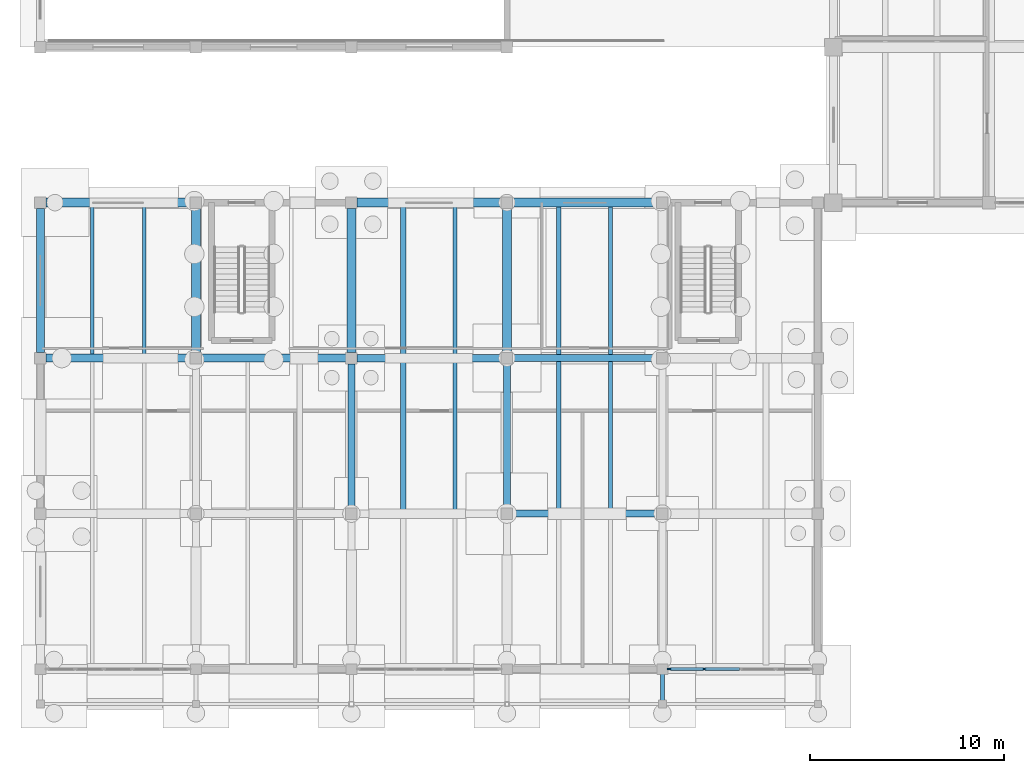
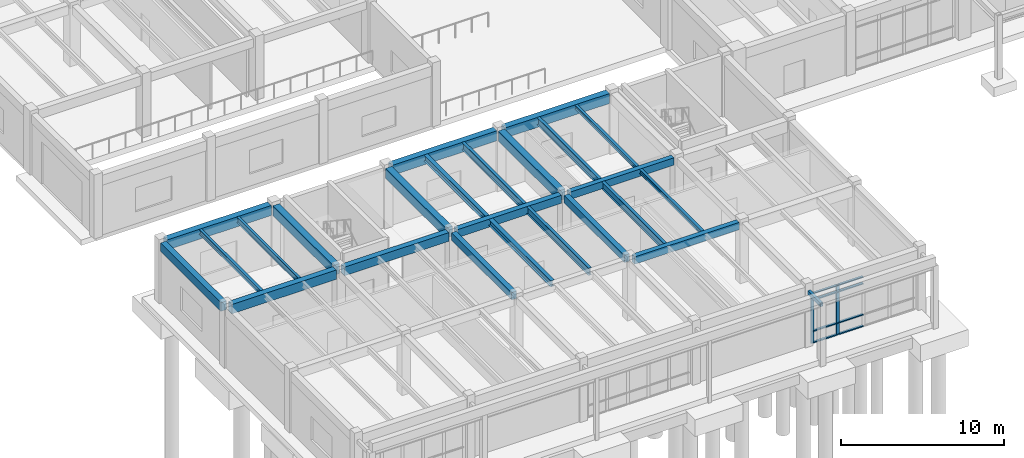
# One storey, part 15 of 64: 25 beams, 10 members, 1 element without a shape of its own.
"""IFC4 building model written with IfcOpenShell, lengths in metres."""

import ifcopenshell
import ifcopenshell.guid

model = None  # the IFC model being written
_history = None  # IfcOwnerHistory: only IFC2X3 demands one
_inside = {}  # id of a spatial element -> (the spatial element, [elements in it])
_under = {}  # id of a project, library or spatial element -> (it, [spatial elements below it])
_declared = {}  # id of a project -> (the project, [libraries it declares])
_typed = {}  # id of a type object -> (the type object, [elements of that type])
_made_of = {}  # id of a material, layer set ... -> (it, [elements and type objects made of it])


def new_model(schema):
    """Start an empty IFC model of exactly this schema.

    Asked for "IFC4X3", IfcOpenShell would pick the latest addendum, in which some entities
    have other attributes; the version numbers below select the first issue.
    IFC2X3 requires an IfcOwnerHistory on every rooted entity: one is made here for all.
    """
    global model, _history
    if schema == "IFC4X3":
        model = ifcopenshell.file(schema_version=(4, 3, 0, 0))
    else:
        model = ifcopenshell.file(schema=schema)
    _inside.clear()
    _under.clear()
    _declared.clear()
    _typed.clear()
    _made_of.clear()
    _history = None
    if model.schema == "IFC2X3":
        org = make("IfcOrganization", Name="unknown")
        user = make(
            "IfcPersonAndOrganization",
            ThePerson=make("IfcPerson", FamilyName="unknown"),
            TheOrganization=org,
        )
        app = make(
            "IfcApplication",
            ApplicationDeveloper=org,
            Version="unknown",
            ApplicationFullName="unknown",
            ApplicationIdentifier="unknown",
        )
        _history = make(
            "IfcOwnerHistory",
            OwningUser=user,
            OwningApplication=app,
            ChangeAction="ADDED",
            CreationDate=0,
        )
    return model


def make(cls, **values):
    """One entity of the class cls with the attributes given. An attribute that is None is left unset."""
    return model.create_entity(
        cls, **{name: value for name, value in values.items() if value is not None}
    )


def rooted(cls, **values):
    """An entity with a GlobalId (a new one), such as an element, a storey or a relation."""
    return make(cls, GlobalId=ifcopenshell.guid.new(), OwnerHistory=_history, **values)


def si_unit(unit_type, name, prefix=None):
    """IfcSIUnit, for example si_unit("LENGTHUNIT", "METRE", prefix="MILLI")."""
    return make("IfcSIUnit", UnitType=unit_type, Prefix=prefix, Name=name)


def assignment(units):
    """IfcUnitAssignment: the units of a project."""
    return None if units is None else make("IfcUnitAssignment", Units=units)


def point(xyz):
    """IfcCartesianPoint."""
    return None if xyz is None else make("IfcCartesianPoint", Coordinates=xyz)


def direction(xyz):
    """IfcDirection."""
    return None if xyz is None else make("IfcDirection", DirectionRatios=xyz)


def frame(location, z_axis=None, x_axis=None):
    """IfcAxis2Placement3D, a coordinate frame: its origin and axes. An axis left out is left unset."""
    return make(
        "IfcAxis2Placement3D",
        Location=point(location),
        Axis=direction(z_axis),
        RefDirection=direction(x_axis),
    )


def frame_2d(location, x_axis=None):
    """IfcAxis2Placement2D, a coordinate frame in the plane: its origin and x axis."""
    return make(
        "IfcAxis2Placement2D", Location=point(location), RefDirection=direction(x_axis)
    )


def origin():
    """The frame at (0, 0, 0) with its axes left unset."""
    return frame((0.0, 0.0, 0.0))


def origin_2d():
    """The frame at (0, 0) in the plane with its x axis left unset."""
    return frame_2d((0.0, 0.0))


def place(relative_to, where):
    """IfcLocalPlacement: puts the frame where relative to a parent placement (None: the world)."""
    return make(
        "IfcLocalPlacement", PlacementRelTo=relative_to, RelativePlacement=where
    )


def context(
    kind, dimensions, precision=None, world=None, true_north=None, identifier=None
):
    """IfcGeometricRepresentationContext, for example the 3D "Model" context."""
    return make(
        "IfcGeometricRepresentationContext",
        ContextIdentifier=identifier,
        ContextType=kind,
        CoordinateSpaceDimension=dimensions,
        Precision=precision,
        WorldCoordinateSystem=world,
        TrueNorth=true_north,
    )


def subcontext(parent, identifier, kind, view, scale=None):
    """IfcGeometricRepresentationSubContext, for example "Body" below "Model"."""
    return make(
        "IfcGeometricRepresentationSubContext",
        ContextIdentifier=identifier,
        ContextType=kind,
        ParentContext=parent,
        TargetScale=scale,
        TargetView=view,
    )


def project(units=None, contexts=None):
    """IfcProject with its units and contexts."""
    return rooted(
        "IfcProject",
        Name="project",
        RepresentationContexts=contexts,
        UnitsInContext=assignment(units),
    )


def spatial(cls, under=None, at=None, **own):
    """A site, building, storey or space (cls), placed at a placement, below another one or the project."""
    s = rooted(cls, ObjectPlacement=at, **own)
    if under is not None:
        _under.setdefault(under.id(), (under, []))[1].append(s)
    return s


def profile(cls, at=None, kind="AREA", **sizes):
    """A parametric profile (cls). Its sizes go by their IFC names, for example OverallWidth=200.0."""
    return make(cls, ProfileType=kind, Position=at, **sizes)


def rectangle(**sizes):
    """IfcRectangleProfileDef."""
    return profile("IfcRectangleProfileDef", **sizes)


def hollow_rectangle(**sizes):
    """IfcRectangleHollowProfileDef."""
    return profile("IfcRectangleHollowProfileDef", **sizes)


def i_section(**sizes):
    """IfcIShapeProfileDef."""
    return profile("IfcIShapeProfileDef", **sizes)


def extrude(swept, where, along, depth):
    """IfcExtrudedAreaSolid: the profile swept, set in the frame where, extruded along a direction by depth."""
    return make(
        "IfcExtrudedAreaSolid",
        SweptArea=swept,
        Position=where,
        ExtrudedDirection=direction(along),
        Depth=depth,
    )


def shape(context_of_items, identifier, shape_type, items):
    """IfcShapeRepresentation: the items that make up one representation, for example the "Body"."""
    return make(
        "IfcShapeRepresentation",
        ContextOfItems=context_of_items,
        RepresentationIdentifier=identifier,
        RepresentationType=shape_type,
        Items=items,
    )


def material(Name=None, Category=None):
    """IfcMaterial."""
    return make("IfcMaterial", Name=Name, Category=Category)


def material_profile(
    of_material, cross_section, Name=None, Category=None, Priority=None
):
    """IfcMaterialProfile: a cross section and its material."""
    return make(
        "IfcMaterialProfile",
        Name=Name,
        Material=of_material,
        Profile=cross_section,
        Priority=Priority,
        Category=Category,
    )


def profile_set(profiles, Name=None, composite=None):
    """IfcMaterialProfileSet."""
    return make(
        "IfcMaterialProfileSet",
        Name=Name,
        MaterialProfiles=profiles,
        CompositeProfile=composite,
    )


def made_of(thing, what):
    """Note that an element or type object is made of a material, layer set ...; save() writes the relation."""
    if what is not None:
        _made_of.setdefault(what.id(), (what, []))[1].append(thing)
    return thing


def type_object(cls, material=None, **own):
    """A type object (cls), such as IfcWallType, which elements share."""
    return made_of(rooted(cls, **own), material)


def element(
    cls,
    number,
    at=None,
    inside=None,
    cuts=None,
    type_object=None,
    material=None,
    context=None,
    identifier="Body",
    shape_type=None,
    held_by="IfcProductDefinitionShape",
    body=None,
    shapes=None,
    **own,
):
    """One element of the class cls, such as IfcWall. Its Tag is "e" and its number.

    at: its placement. inside: the storey or other place that contains it. cuts: it is an
    opening in that element (IfcRelVoidsElement). A single representation is given by context,
    identifier, shape_type and body (its items); several are given by shapes. held_by: the class
    of the entity that holds the representations. save() writes the other relations.
    """
    e = rooted(cls, Tag="e%d" % number, ObjectPlacement=at, **own)
    if body is not None:
        shapes = [shape(context, identifier, shape_type, body)]
    if shapes is not None:
        e.Representation = make(held_by, Representations=shapes)
    if inside is not None:
        _inside.setdefault(inside.id(), (inside, []))[1].append(e)
    if cuts is not None:
        rooted(
            "IfcRelVoidsElement", RelatingBuildingElement=cuts, RelatedOpeningElement=e
        )
    if type_object is not None:
        _typed.setdefault(type_object.id(), (type_object, []))[1].append(e)
    return made_of(e, material)


def aggregate(whole, parts):
    """IfcRelAggregates: a whole, such as a stair, and the parts it consists of."""
    return rooted("IfcRelAggregates", RelatingObject=whole, RelatedObjects=parts)


def save(model, path):
    """Write the relations noted so far, then the file.

    IfcRelAggregates (storeys below a building ...), IfcRelContainedInSpatialStructure (elements
    in a storey), IfcRelDefinesByType, IfcRelAssociatesMaterial and IfcRelDeclares: one each for
    every whole, place, type object, material and project.
    """
    for whole, parts in _under.values():
        aggregate(whole, parts)
    for where, things in _inside.values():
        rooted(
            "IfcRelContainedInSpatialStructure",
            RelatedElements=things,
            RelatingStructure=where,
        )
    for kind, things in _typed.values():
        rooted("IfcRelDefinesByType", RelatedObjects=things, RelatingType=kind)
    for what, things in _made_of.values():
        rooted("IfcRelAssociatesMaterial", RelatedObjects=things, RelatingMaterial=what)
    for by, libraries in _declared.values():
        rooted("IfcRelDeclares", RelatingContext=by, RelatedDefinitions=libraries)
    model.write(path)


model = new_model("IFC4")

# Units and contexts
model_context = context("Model", 3, precision=1e-05, world=origin(), true_north=direction((0.0, 1.0)))
body_context = subcontext(model_context, "Body", "Model", "MODEL_VIEW")
ifc_project = project(units=[si_unit("LENGTHUNIT", "METRE"), si_unit("AREAUNIT", "SQUARE_METRE"), si_unit("VOLUMEUNIT", "CUBIC_METRE"), si_unit("PLANEANGLEUNIT", "RADIAN"), si_unit("MASSUNIT", "GRAM", prefix="KILO")], contexts=[model_context])

# Site, building, storey
site_placement = place(None, origin())
site = spatial("IfcSite", under=ifc_project, at=site_placement, CompositionType="ELEMENT")
building_placement = place(site_placement, origin())
building = spatial("IfcBuilding", under=site, at=building_placement, Name="Tlaxcora Railside Police Headquarters", CompositionType="ELEMENT")
storey_placement = place(building_placement, origin())
storey = spatial("IfcBuildingStorey", under=building, at=storey_placement, Name="L00", CompositionType="ELEMENT", Elevation=0.0)

# Curtain wall, members
ifc_material_1 = material(Name="Thermally broken low-E insulated glazing", Category="glass")
curtain_wall_type = type_object("IfcCurtainWallType", Name="Unitised Curtain Wall Assembly CW-83", PredefinedType="NOTDEFINED", material=ifc_material_1)
curtain_wall_placement = place(storey_placement, origin())
curtain_wall = element("IfcCurtainWall", 1, at=curtain_wall_placement, inside=storey, type_object=curtain_wall_type, Name="V4 L00 curtain wall 23", PredefinedType="NOTDEFINED")
ifc_material_2 = material(Name="Anodised aluminium framing", Category="aluminium")
ifc_material_profile_1 = material_profile(ifc_material_2, rectangle(XDim=0.080078125, YDim=0.2099609375, at=origin_2d()), Name="AL80X210")
ifc_profile_set_1 = profile_set([ifc_material_profile_1], Name="Anodised aluminium framing")
member_type_1 = type_object("IfcMemberType", Name="Curtain Wall Mullion CW-76", PredefinedType="MULLION", material=ifc_profile_set_1)
member_1_placement = place(storey_placement, frame((37.56494140625, 12.0, 0.0), z_axis=(0.0, 0.0, 1.0), x_axis=(0.0, 1.0, 0.0)))
member_1 = element("IfcMember", 2, at=member_1_placement, type_object=member_type_1, Name="CW mullion 1", PredefinedType="MULLION", context=body_context, shape_type="SweptSolid", body=[
    extrude(rectangle(XDim=0.080078125, YDim=0.2099609375, at=origin_2d()), origin(), (0.0, 0.0, 1.0), 3.760009765625),
])
member_2_placement = place(storey_placement, frame((39.362548828125, 12.0, 0.0), z_axis=(0.0, 0.0, 1.0), x_axis=(0.0, 1.0, 0.0)))
member_2 = element("IfcMember", 3, at=member_2_placement, type_object=member_type_1, Name="CW mullion 2", PredefinedType="MULLION", context=body_context, shape_type="SweptSolid", body=[
    extrude(rectangle(XDim=0.080078125, YDim=0.2099609375, at=origin_2d()), origin(), (0.0, 0.0, 1.0), 3.760009765625),
])
ifc_material_profile_2 = material_profile(ifc_material_2, rectangle(XDim=0.159912109375, YDim=0.080078125, at=origin_2d()), Name="AL80X160")
ifc_profile_set_2 = profile_set([ifc_material_profile_2], Name="Anodised aluminium framing")
member_type_2 = type_object("IfcMemberType", Name="Curtain Wall Transom CW-82", PredefinedType="USERDEFINED", material=ifc_profile_set_2)
member_3_placement = place(storey_placement, frame((37.60498046875, 12.0, 0.0400390625), z_axis=(1.0, 0.0, 0.0), x_axis=(0.0, 1.0, 0.0)))
member_3 = element("IfcMember", 4, at=member_3_placement, type_object=member_type_2, Name="CW transom 1.1", ObjectType="TRANSOM", PredefinedType="USERDEFINED", context=body_context, shape_type="SweptSolid", body=[
    extrude(rectangle(XDim=0.159912109375, YDim=0.080078125, at=origin_2d()), origin(), (0.0, 0.0, 1.0), 1.717529296875),
])
member_4_placement = place(storey_placement, frame((37.60498046875, 12.0, 0.89990234375), z_axis=(1.0, 0.0, 0.0), x_axis=(0.0, 1.0, 0.0)))
member_4 = element("IfcMember", 5, at=member_4_placement, type_object=member_type_2, Name="CW transom 1.2", ObjectType="TRANSOM", PredefinedType="USERDEFINED", context=body_context, shape_type="SweptSolid", body=[
    extrude(rectangle(XDim=0.159912109375, YDim=0.080078125, at=origin_2d()), origin(), (0.0, 0.0, 1.0), 1.717529296875),
])
member_5_placement = place(storey_placement, frame((37.60498046875, 12.0, 3.22998046875), z_axis=(1.0, 0.0, 0.0), x_axis=(0.0, 1.0, 0.0)))
member_5 = element("IfcMember", 6, at=member_5_placement, type_object=member_type_2, Name="CW transom 1.3", ObjectType="TRANSOM", PredefinedType="USERDEFINED", context=body_context, shape_type="SweptSolid", body=[
    extrude(rectangle(XDim=0.159912109375, YDim=0.080078125, at=origin_2d()), origin(), (0.0, 0.0, 1.0), 1.717529296875),
])
member_6_placement = place(storey_placement, frame((37.60498046875, 12.0, 3.719970703125), z_axis=(1.0, 0.0, 0.0), x_axis=(0.0, 1.0, 0.0)))
member_6 = element("IfcMember", 7, at=member_6_placement, type_object=member_type_2, Name="CW transom 1.4", ObjectType="TRANSOM", PredefinedType="USERDEFINED", context=body_context, shape_type="SweptSolid", body=[
    extrude(rectangle(XDim=0.159912109375, YDim=0.080078125, at=origin_2d()), origin(), (0.0, 0.0, 1.0), 1.717529296875),
])
member_7_placement = place(storey_placement, frame((39.402587890625, 12.0, 0.0400390625), z_axis=(1.0, 0.0, 0.0), x_axis=(0.0, 1.0, 0.0)))
member_7 = element("IfcMember", 8, at=member_7_placement, type_object=member_type_2, Name="CW transom 2.1", ObjectType="TRANSOM", PredefinedType="USERDEFINED", context=body_context, shape_type="SweptSolid", body=[
    extrude(rectangle(XDim=0.159912109375, YDim=0.080078125, at=origin_2d()), origin(), (0.0, 0.0, 1.0), 1.75732421875),
])
member_8_placement = place(storey_placement, frame((39.402587890625, 12.0, 0.89990234375), z_axis=(1.0, 0.0, 0.0), x_axis=(0.0, 1.0, 0.0)))
member_8 = element("IfcMember", 9, at=member_8_placement, type_object=member_type_2, Name="CW transom 2.2", ObjectType="TRANSOM", PredefinedType="USERDEFINED", context=body_context, shape_type="SweptSolid", body=[
    extrude(rectangle(XDim=0.159912109375, YDim=0.080078125, at=origin_2d()), origin(), (0.0, 0.0, 1.0), 1.75732421875),
])
member_9_placement = place(storey_placement, frame((39.402587890625, 12.0, 3.22998046875), z_axis=(1.0, 0.0, 0.0), x_axis=(0.0, 1.0, 0.0)))
member_9 = element("IfcMember", 10, at=member_9_placement, type_object=member_type_2, Name="CW transom 2.3", ObjectType="TRANSOM", PredefinedType="USERDEFINED", context=body_context, shape_type="SweptSolid", body=[
    extrude(rectangle(XDim=0.159912109375, YDim=0.080078125, at=origin_2d()), origin(), (0.0, 0.0, 1.0), 1.75732421875),
])
member_10_placement = place(storey_placement, frame((39.402587890625, 12.0, 3.719970703125), z_axis=(1.0, 0.0, 0.0), x_axis=(0.0, 1.0, 0.0)))
member_10 = element("IfcMember", 11, at=member_10_placement, type_object=member_type_2, Name="CW transom 2.4", ObjectType="TRANSOM", PredefinedType="USERDEFINED", context=body_context, shape_type="SweptSolid", body=[
    extrude(rectangle(XDim=0.159912109375, YDim=0.080078125, at=origin_2d()), origin(), (0.0, 0.0, 1.0), 1.75732421875),
])
aggregate(curtain_wall, [member_1, member_2, member_3, member_4, member_5, member_6, member_7, member_8, member_9, member_10])

# Beams
ifc_material_3 = material(Name="Steel ASTM A992 Grade 50", Category="steel")
ifc_material_profile_3 = material_profile(ifc_material_3, hollow_rectangle(XDim=0.199951171875, YDim=0.300048828125, WallThickness=0.010009765625, at=origin_2d()), Name="HSS300X200X10")
ifc_profile_set_3 = profile_set([ifc_material_profile_3], Name="Steel ASTM A992 Grade 50")
beam_type_1 = type_object("IfcBeamType", Name="Opening Lintel Beam BM-74", PredefinedType="LINTEL", material=ifc_profile_set_3)
beam_1_placement = place(storey_placement, frame((37.199951171875, 10.199951171875, 4.10009765625), z_axis=(0.0, 1.0, 0.0), x_axis=(-1.0, 0.0, 0.0)))
element("IfcBeam", 12, at=beam_1_placement, inside=storey, type_object=beam_type_1, Name="Forecourt loggia tie beam X=37.2", PredefinedType="LINTEL", context=body_context, shape_type="SweptSolid", body=[
    extrude(hollow_rectangle(XDim=0.199951171875, YDim=0.300048828125, WallThickness=0.010009765625, at=origin_2d()), origin(), (0.0, 0.0, 1.0), 1.550048828125),
])
ifc_material_4 = material(Name="Concrete C40/50", Category="concrete")
ifc_material_profile_4 = material_profile(ifc_material_4, rectangle(XDim=0.39990234375, YDim=0.64990234375, at=origin_2d()), Name="RC400X650")
ifc_profile_set_4 = profile_set([ifc_material_profile_4], Name="Concrete C40/50")
beam_type_2 = type_object("IfcBeamType", Name="Perimeter Spandrel Beam BM-46", PredefinedType="SPANDREL", material=ifc_profile_set_4)
beam_2_placement = place(storey_placement, frame((5.199951171875, 28.2900390625, 4.205078125), z_axis=(0.0, 1.0, 0.0), x_axis=(-1.0, 0.0, 0.0)))
element("IfcBeam", 13, at=beam_2_placement, inside=storey, type_object=beam_type_2, Name="V4 L00 Y-girder X=5.2", PredefinedType="SPANDREL", context=body_context, shape_type="SweptSolid", body=[
    extrude(rectangle(XDim=0.39990234375, YDim=0.64990234375, at=origin_2d()), origin(), (0.0, 0.0, 1.0), 7.419921875),
])
ifc_material_profile_5 = material_profile(ifc_material_4, rectangle(XDim=0.449951171875, YDim=0.75, at=origin_2d()), Name="RC450X750")
ifc_profile_set_5 = profile_set([ifc_material_profile_5], Name="Concrete C40/50")
beam_type_3 = type_object("IfcBeamType", Name="Perimeter Spandrel Beam BM-86", PredefinedType="SPANDREL", material=ifc_profile_set_5)
for number, where, z_axis, x_axis, name in (
    (14, (5.489990234375, 36.0, 4.155029296875), (1.0, 0.0, 0.0), (0.0, 1.0, 0.0), "V4 L00 X-girder Y=36.0"),
    (15, (21.489990234375, 36.0, 4.155029296875), (1.0, 0.0, 0.0), (0.0, 1.0, 0.0), "V4 L00 X-girder Y=36.0"),
    (16, (29.489990234375, 36.0, 4.155029296875), (1.0, 0.0, 0.0), (0.0, 1.0, 0.0), "V4 L00 X-girder Y=36.0"),
):
    element("IfcBeam", number, at=place(storey_placement, frame(where, z_axis=z_axis, x_axis=x_axis)), inside=storey, type_object=beam_type_3, Name=name, PredefinedType="SPANDREL", context=body_context, shape_type="SweptSolid", body=[
        extrude(rectangle(XDim=0.449951171875, YDim=0.75, at=origin_2d()), origin(), (0.0, 0.0, 1.0), 7.419921875),
    ])
ifc_material_profile_6 = material_profile(ifc_material_4, rectangle(XDim=0.3798828125, YDim=0.60009765625, at=origin_2d()), Name="RC380X600")
ifc_profile_set_6 = profile_set([ifc_material_profile_6], Name="Concrete C40/50")
beam_type_4 = type_object("IfcBeamType", Name="Primary Frame Girder BM-22", PredefinedType="BEAM", material=ifc_profile_set_6)
beam_3_placement = place(storey_placement, frame((21.489990234375, 28.0, 4.22998046875), z_axis=(1.0, 0.0, 0.0), x_axis=(0.0, 1.0, 0.0)))
element("IfcBeam", 17, at=beam_3_placement, inside=storey, type_object=beam_type_4, Name="V4 L00 X-girder Y=28.0", PredefinedType="BEAM", context=body_context, shape_type="SweptSolid", body=[
    extrude(rectangle(XDim=0.3798828125, YDim=0.60009765625, at=origin_2d()), origin(), (0.0, 0.0, 1.0), 7.419921875),
])
ifc_material_profile_7 = material_profile(ifc_material_4, rectangle(XDim=0.419921875, YDim=0.699951171875, at=origin_2d()), Name="RC420X700")
ifc_profile_set_7 = profile_set([ifc_material_profile_7], Name="Concrete C40/50")
beam_type_5 = type_object("IfcBeamType", Name="Primary Frame Girder BM-35", PredefinedType="BEAM", material=ifc_profile_set_7)
beam_4_placement = place(storey_placement, frame((5.489990234375, 28.0, 4.179931640625), z_axis=(1.0, 0.0, 0.0), x_axis=(0.0, 1.0, 0.0)))
element("IfcBeam", 18, at=beam_4_placement, inside=storey, type_object=beam_type_5, Name="V4 L00 X-girder Y=28.0", PredefinedType="BEAM", context=body_context, shape_type="SweptSolid", body=[
    extrude(rectangle(XDim=0.419921875, YDim=0.699951171875, at=origin_2d()), origin(), (0.0, 0.0, 1.0), 7.419921875),
])
ifc_material_profile_8 = material_profile(ifc_material_4, rectangle(XDim=0.35009765625, YDim=0.550048828125, at=origin_2d()), Name="RC350X550")
ifc_profile_set_8 = profile_set([ifc_material_profile_8], Name="Concrete C40/50")
beam_type_6 = type_object("IfcBeamType", Name="Primary Frame Girder BM-39", PredefinedType="BEAM", material=ifc_profile_set_8)
for number, where, z_axis, x_axis, name in (
    (19, (29.489990234375, 20.0, 4.2548828125), (1.0, 0.0, 0.0), (0.0, 1.0, 0.0), "V4 L00 X-girder Y=20.0"),
    (20, (29.489990234375, 28.0, 4.2548828125), (1.0, 0.0, 0.0), (0.0, 1.0, 0.0), "V4 L00 X-girder Y=28.0"),
    (21, (21.199951171875, 20.2900390625, 4.2548828125), (0.0, 1.0, 0.0), (-1.0, 0.0, 0.0), "V4 L00 Y-girder X=21.2"),
    (22, (29.199951171875, 20.2900390625, 4.2548828125), (0.0, 1.0, 0.0), (-1.0, 0.0, 0.0), "V4 L00 Y-girder X=29.2"),
):
    element("IfcBeam", number, at=place(storey_placement, frame(where, z_axis=z_axis, x_axis=x_axis)), inside=storey, type_object=beam_type_6, Name=name, PredefinedType="BEAM", context=body_context, shape_type="SweptSolid", body=[
        extrude(rectangle(XDim=0.35009765625, YDim=0.550048828125, at=origin_2d()), origin(), (0.0, 0.0, 1.0), 7.419921875),
    ])
ifc_material_profile_9 = material_profile(ifc_material_4, rectangle(XDim=0.39990234375, YDim=0.64990234375, at=origin_2d()), Name="RC400X650")
ifc_profile_set_9 = profile_set([ifc_material_profile_9], Name="Concrete C40/50")
beam_type_7 = type_object("IfcBeamType", Name="Primary Frame Girder BM-41", PredefinedType="BEAM", material=ifc_profile_set_9)
beam_5_placement = place(storey_placement, frame((13.489990234375, 28.0, 4.205078125), z_axis=(1.0, 0.0, 0.0), x_axis=(0.0, 1.0, 0.0)))
element("IfcBeam", 23, at=beam_5_placement, inside=storey, type_object=beam_type_7, Name="V4 L00 X-girder Y=28.0", PredefinedType="BEAM", context=body_context, shape_type="SweptSolid", body=[
    extrude(rectangle(XDim=0.39990234375, YDim=0.64990234375, at=origin_2d()), origin(), (0.0, 0.0, 1.0), 7.419921875),
])
ifc_material_profile_10 = material_profile(ifc_material_4, rectangle(XDim=0.449951171875, YDim=0.75, at=origin_2d()), Name="RC450X750")
ifc_profile_set_10 = profile_set([ifc_material_profile_10], Name="Concrete C40/50")
beam_type_8 = type_object("IfcBeamType", Name="Primary Frame Girder BM-73", PredefinedType="BEAM", material=ifc_profile_set_10)
for number, where, z_axis, x_axis, name in (
    (24, (13.199951171875, 28.2900390625, 4.155029296875), (0.0, 1.0, 0.0), (-1.0, 0.0, 0.0), "V4 L00 Y-girder X=13.2"),
    (25, (21.199951171875, 28.2900390625, 4.155029296875), (0.0, 1.0, 0.0), (-1.0, 0.0, 0.0), "V4 L00 Y-girder X=21.2"),
    (26, (29.199951171875, 28.2900390625, 4.155029296875), (0.0, 1.0, 0.0), (-1.0, 0.0, 0.0), "V4 L00 Y-girder X=29.2"),
):
    element("IfcBeam", number, at=place(storey_placement, frame(where, z_axis=z_axis, x_axis=x_axis)), inside=storey, type_object=beam_type_8, Name=name, PredefinedType="BEAM", context=body_context, shape_type="SweptSolid", body=[
        extrude(rectangle(XDim=0.449951171875, YDim=0.75, at=origin_2d()), origin(), (0.0, 0.0, 1.0), 7.419921875),
    ])
ifc_material_profile_11 = material_profile(ifc_material_3, i_section(OverallWidth=0.280029296875, OverallDepth=0.4619140625, WebThickness=0.0107421875, FlangeThickness=0.017333984375, at=origin_2d()), Name="W18X76")
ifc_profile_set_11 = profile_set([ifc_material_profile_11], Name="Steel ASTM A992 Grade 50")
beam_type_9 = type_object("IfcBeamType", Name="Secondary Floor Joist BM-44", PredefinedType="JOIST", material=ifc_profile_set_11)
beam_6_placement = place(storey_placement, frame((23.86669921875, 20.181884765625, 4.299072265625), z_axis=(0.0, 1.0, 0.0), x_axis=(-1.0, 0.0, 0.0)))
element("IfcBeam", 27, at=beam_6_placement, inside=storey, type_object=beam_type_9, Name="V4 L00 floor joist X=23.87", PredefinedType="JOIST", context=body_context, shape_type="SweptSolid", body=[
    extrude(i_section(OverallWidth=0.280029296875, OverallDepth=0.4619140625, WebThickness=0.0107421875, FlangeThickness=0.017333984375, at=origin_2d()), origin(), (0.0, 0.0, 1.0), 7.63623046875),
])
beam_7_placement = place(storey_placement, frame((23.86669921875, 28.181884765625, 4.299072265625), z_axis=(0.0, 1.0, 0.0), x_axis=(-1.0, 0.0, 0.0)))
element("IfcBeam", 28, at=beam_7_placement, inside=storey, type_object=beam_type_9, Name="V4 L00 floor joist X=23.87", PredefinedType="JOIST", context=body_context, shape_type="SweptSolid", body=[
    extrude(i_section(OverallWidth=0.280029296875, OverallDepth=0.4619140625, WebThickness=0.0107421875, FlangeThickness=0.017333984375, at=origin_2d()), origin(), (0.0, 0.0, 1.0), 7.60107421875),
])
ifc_material_profile_12 = material_profile(ifc_material_3, i_section(OverallWidth=0.2041015625, OverallDepth=0.35009765625, WebThickness=0.008544921875, FlangeThickness=0.01513671875, at=origin_2d()), Name="W14X48")
ifc_profile_set_12 = profile_set([ifc_material_profile_12], Name="Steel ASTM A992 Grade 50")
beam_type_10 = type_object("IfcBeamType", Name="Secondary Floor Joist BM-65", PredefinedType="JOIST", material=ifc_profile_set_12)
beam_8_placement = place(storey_placement, frame((7.86669921875, 28.201904296875, 4.35498046875), z_axis=(0.0, 1.0, 0.0), x_axis=(-1.0, 0.0, 0.0)))
element("IfcBeam", 29, at=beam_8_placement, inside=storey, type_object=beam_type_10, Name="V4 L00 floor joist X=7.87", PredefinedType="JOIST", context=body_context, shape_type="SweptSolid", body=[
    extrude(i_section(OverallWidth=0.2041015625, OverallDepth=0.35009765625, WebThickness=0.008544921875, FlangeThickness=0.01513671875, at=origin_2d()), origin(), (0.0, 0.0, 1.0), 7.5810546875),
])
ifc_material_profile_13 = material_profile(ifc_material_3, i_section(OverallWidth=0.180908203125, OverallDepth=0.4169921875, WebThickness=0.010009765625, FlangeThickness=0.018310546875, at=origin_2d()), Name="W16X57")
ifc_profile_set_13 = profile_set([ifc_material_profile_13], Name="Steel ASTM A992 Grade 50")
beam_type_11 = type_object("IfcBeamType", Name="Secondary Floor Joist BM-84", PredefinedType="JOIST", material=ifc_profile_set_13)
beam_9_placement = place(storey_placement, frame((10.533203125, 28.201904296875, 4.321533203125), z_axis=(0.0, 1.0, 0.0), x_axis=(-1.0, 0.0, 0.0)))
element("IfcBeam", 30, at=beam_9_placement, inside=storey, type_object=beam_type_11, Name="V4 L00 floor joist X=10.53", PredefinedType="JOIST", context=body_context, shape_type="SweptSolid", body=[
    extrude(i_section(OverallWidth=0.180908203125, OverallDepth=0.4169921875, WebThickness=0.010009765625, FlangeThickness=0.018310546875, at=origin_2d()), origin(), (0.0, 0.0, 1.0), 7.5810546875),
])
ifc_material_profile_14 = material_profile(ifc_material_3, i_section(OverallWidth=0.202880859375, OverallDepth=0.302978515625, WebThickness=0.007568359375, FlangeThickness=0.01318359375, at=origin_2d()), Name="W12X40")
ifc_profile_set_14 = profile_set([ifc_material_profile_14], Name="Steel ASTM A992 Grade 50")
beam_type_12 = type_object("IfcBeamType", Name="Secondary Floor Joist BM-96", PredefinedType="JOIST", material=ifc_profile_set_14)
beam_10_placement = place(storey_placement, frame((34.533203125, 20.1669921875, 4.37841796875), z_axis=(0.0, 1.0, 0.0), x_axis=(-1.0, 0.0, 0.0)))
element("IfcBeam", 31, at=beam_10_placement, inside=storey, type_object=beam_type_12, Name="V4 L00 floor joist X=34.53", PredefinedType="JOIST", context=body_context, shape_type="SweptSolid", body=[
    extrude(i_section(OverallWidth=0.202880859375, OverallDepth=0.302978515625, WebThickness=0.007568359375, FlangeThickness=0.01318359375, at=origin_2d()), origin(), (0.0, 0.0, 1.0), 7.666015625),
])
beam_11_placement = place(storey_placement, frame((34.533203125, 28.1669921875, 4.37841796875), z_axis=(0.0, 1.0, 0.0), x_axis=(-1.0, 0.0, 0.0)))
element("IfcBeam", 32, at=beam_11_placement, inside=storey, type_object=beam_type_12, Name="V4 L00 floor joist X=34.53", PredefinedType="JOIST", context=body_context, shape_type="SweptSolid", body=[
    extrude(i_section(OverallWidth=0.202880859375, OverallDepth=0.302978515625, WebThickness=0.007568359375, FlangeThickness=0.01318359375, at=origin_2d()), origin(), (0.0, 0.0, 1.0), 7.615966796875),
])
ifc_material_profile_15 = material_profile(ifc_material_3, i_section(OverallWidth=0.214111328125, OverallDepth=0.549072265625, WebThickness=0.0146484375, FlangeThickness=0.023681640625, at=origin_2d()), Name="W21X93")
ifc_profile_set_15 = profile_set([ifc_material_profile_15], Name="Steel ASTM A992 Grade 50")
beam_type_13 = type_object("IfcBeamType", Name="Secondary Floor Joist BM-97", PredefinedType="JOIST", material=ifc_profile_set_15)
beam_12_placement = place(storey_placement, frame((26.533203125, 20.181884765625, 4.255615234375), z_axis=(0.0, 1.0, 0.0), x_axis=(-1.0, 0.0, 0.0)))
element("IfcBeam", 33, at=beam_12_placement, inside=storey, type_object=beam_type_13, Name="V4 L00 floor joist X=26.53", PredefinedType="JOIST", context=body_context, shape_type="SweptSolid", body=[
    extrude(i_section(OverallWidth=0.214111328125, OverallDepth=0.549072265625, WebThickness=0.0146484375, FlangeThickness=0.023681640625, at=origin_2d()), origin(), (0.0, 0.0, 1.0), 7.63623046875),
])
beam_13_placement = place(storey_placement, frame((31.86669921875, 20.1669921875, 4.255615234375), z_axis=(0.0, 1.0, 0.0), x_axis=(-1.0, 0.0, 0.0)))
element("IfcBeam", 34, at=beam_13_placement, inside=storey, type_object=beam_type_13, Name="V4 L00 floor joist X=31.87", PredefinedType="JOIST", context=body_context, shape_type="SweptSolid", body=[
    extrude(i_section(OverallWidth=0.214111328125, OverallDepth=0.549072265625, WebThickness=0.0146484375, FlangeThickness=0.023681640625, at=origin_2d()), origin(), (0.0, 0.0, 1.0), 7.666015625),
])
beam_14_placement = place(storey_placement, frame((26.533203125, 28.181884765625, 4.255615234375), z_axis=(0.0, 1.0, 0.0), x_axis=(-1.0, 0.0, 0.0)))
element("IfcBeam", 35, at=beam_14_placement, inside=storey, type_object=beam_type_13, Name="V4 L00 floor joist X=26.53", PredefinedType="JOIST", context=body_context, shape_type="SweptSolid", body=[
    extrude(i_section(OverallWidth=0.214111328125, OverallDepth=0.549072265625, WebThickness=0.0146484375, FlangeThickness=0.023681640625, at=origin_2d()), origin(), (0.0, 0.0, 1.0), 7.60107421875),
])
beam_15_placement = place(storey_placement, frame((31.86669921875, 28.1669921875, 4.255615234375), z_axis=(0.0, 1.0, 0.0), x_axis=(-1.0, 0.0, 0.0)))
element("IfcBeam", 36, at=beam_15_placement, inside=storey, type_object=beam_type_13, Name="V4 L00 floor joist X=31.87", PredefinedType="JOIST", context=body_context, shape_type="SweptSolid", body=[
    extrude(i_section(OverallWidth=0.214111328125, OverallDepth=0.549072265625, WebThickness=0.0146484375, FlangeThickness=0.023681640625, at=origin_2d()), origin(), (0.0, 0.0, 1.0), 7.615966796875),
])

save(model, "model.ifc")
